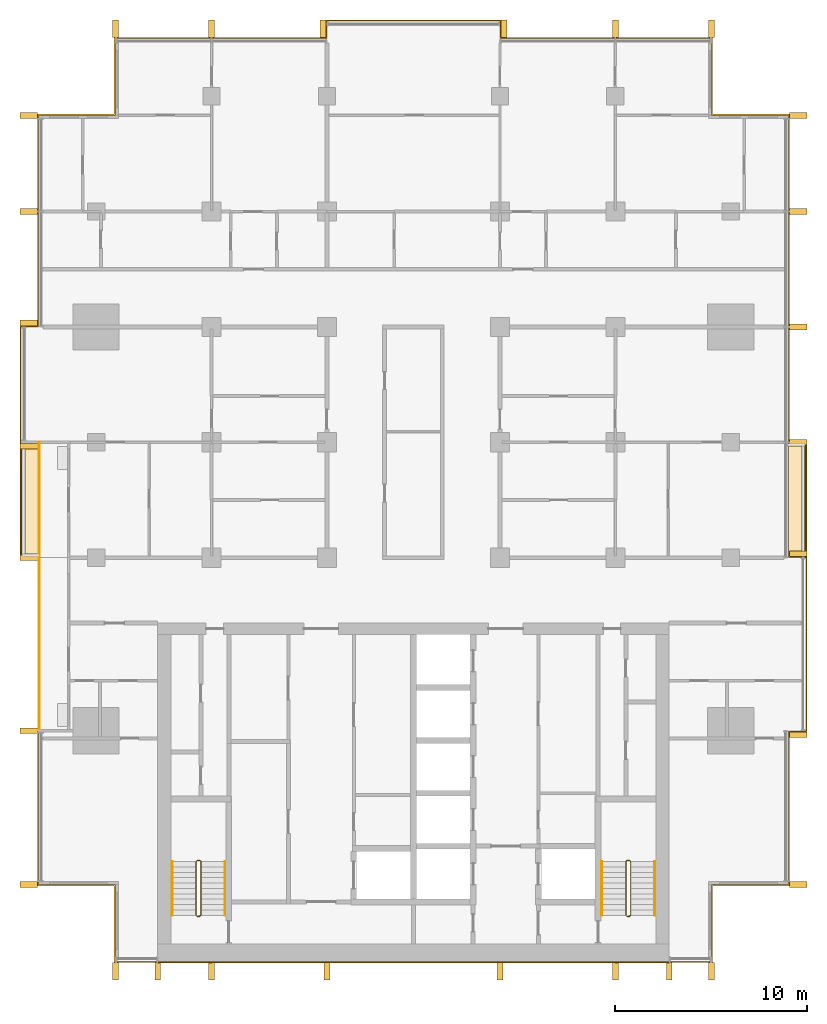
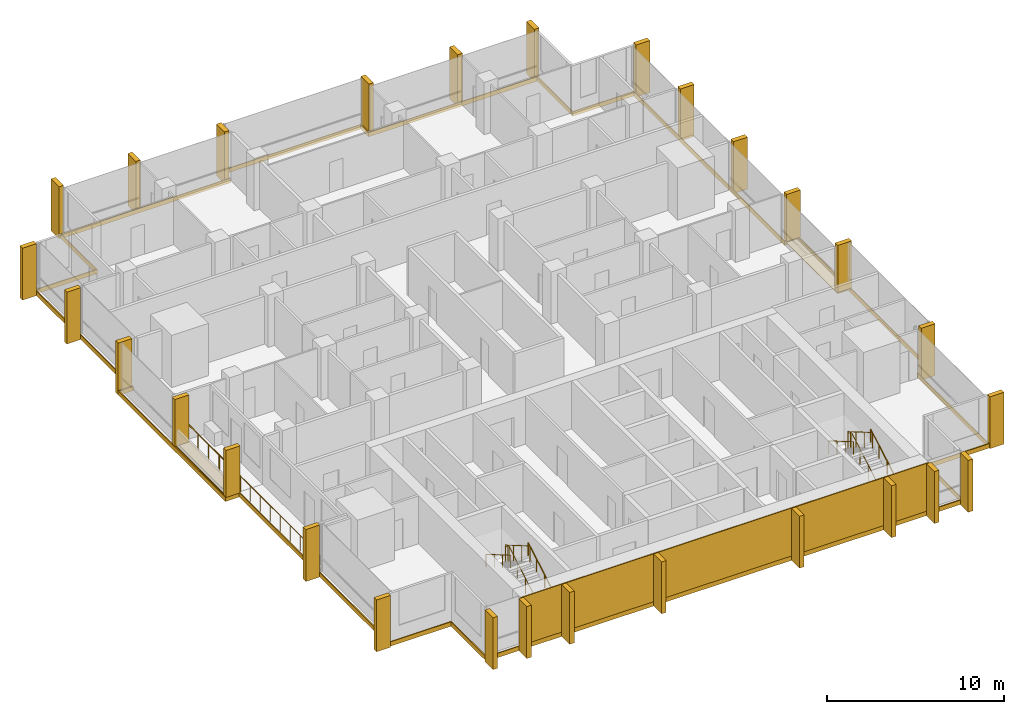
# One storey, part 17 of 17: 28 shading devices, 9 coverings, 8 railings.
"""IFC4 building model written with IfcOpenShell, lengths in metres."""

from ifc_helpers import new_model, si_unit, direction, frame, origin, origin_2d, place, context, subcontext, project, spatial, polyline, rectangle, circle, outline, extrude, material, layer, layer_set, type_object, element, save


model = new_model("IFC4")

# Units and contexts
model_context = context("Model", 3, precision=1e-05, world=origin(), true_north=direction((0.0, 1.0)))
body_context = subcontext(model_context, "Body", "Model", "MODEL_VIEW")
ifc_project = project(units=[si_unit("LENGTHUNIT", "METRE"), si_unit("AREAUNIT", "SQUARE_METRE"), si_unit("VOLUMEUNIT", "CUBIC_METRE"), si_unit("PLANEANGLEUNIT", "RADIAN"), si_unit("MASSUNIT", "GRAM", prefix="KILO")], contexts=[model_context])

# Site, building, storey
site_placement = place(None, origin())
site = spatial("IfcSite", under=ifc_project, at=site_placement, CompositionType="ELEMENT")
building_placement = place(site_placement, origin())
building = spatial("IfcBuilding", under=site, at=building_placement, Name="Finial Court Residences", CompositionType="ELEMENT")
storey_placement = place(building_placement, frame((0.0, 0.0, 174.5)))
storey = spatial("IfcBuildingStorey", under=building, at=storey_placement, Name="L43", CompositionType="ELEMENT", Elevation=174.5)

# Railings
ifc_material_1 = material(Name="Bronze anodised aluminium", Category="aluminium")
railing_type_1 = type_object("IfcRailingType", Name="Balcony guard 1100", PredefinedType="GUARDRAIL", material=ifc_material_1)
railing_1_placement = place(storey_placement, frame((-19.449951171875, -13.5, 0.0)))
element("IfcRailing", 1, at=railing_1_placement, inside=storey, type_object=railing_type_1, Name="E-L43-BALW2-R", PredefinedType="GUARDRAIL", context=body_context, shape_type="SweptSolid", body=[
    extrude(circle(Radius=0.02392578125, at=origin_2d()), frame((0.0, 0.0, 1.076171875), z_axis=(0.0, 1.0, 0.0), x_axis=(-1.0, 0.0, 0.0)), (0.0, 0.0, 1.0), 9.0),
    extrude(circle(Radius=0.02099609375, at=origin_2d()), origin(), (0.0, 0.0, 1.0), 1.052001953125),
    extrude(circle(Radius=0.02099609375, at=origin_2d()), frame((0.0, 1.125, 0.0)), (0.0, 0.0, 1.0), 1.052001953125),
    extrude(circle(Radius=0.02099609375, at=origin_2d()), frame((0.0, 2.25, 0.0)), (0.0, 0.0, 1.0), 1.052001953125),
    extrude(circle(Radius=0.02099609375, at=origin_2d()), frame((0.0, 3.375, 0.0)), (0.0, 0.0, 1.0), 1.052001953125),
    extrude(circle(Radius=0.02099609375, at=origin_2d()), frame((0.0, 4.5, 0.0)), (0.0, 0.0, 1.0), 1.052001953125),
    extrude(circle(Radius=0.02099609375, at=origin_2d()), frame((0.0, 5.625, 0.0)), (0.0, 0.0, 1.0), 1.052001953125),
    extrude(circle(Radius=0.02099609375, at=origin_2d()), frame((0.0, 6.75, 0.0)), (0.0, 0.0, 1.0), 1.052001953125),
    extrude(circle(Radius=0.02099609375, at=origin_2d()), frame((0.0, 7.875, 0.0)), (0.0, 0.0, 1.0), 1.052001953125),
    extrude(circle(Radius=0.02099609375, at=origin_2d()), frame((0.0, 9.0, 0.0)), (0.0, 0.0, 1.0), 1.052001953125),
])
railing_2_placement = place(storey_placement, frame((-19.449951171875, -4.5, 0.0)))
element("IfcRailing", 2, at=railing_2_placement, inside=storey, type_object=railing_type_1, Name="E-L43-BALW3-R", PredefinedType="GUARDRAIL", context=body_context, shape_type="SweptSolid", body=[
    extrude(circle(Radius=0.02392578125, at=origin_2d()), frame((0.0, 0.0, 1.076171875), z_axis=(0.0, 1.0, 0.0), x_axis=(-1.0, 0.0, 0.0)), (0.0, 0.0, 1.0), 6.0),
    extrude(circle(Radius=0.02099609375, at=origin_2d()), origin(), (0.0, 0.0, 1.0), 1.052001953125),
    extrude(circle(Radius=0.02099609375, at=origin_2d()), frame((0.0, 1.199951171875, 0.0)), (0.0, 0.0, 1.0), 1.052001953125),
    extrude(circle(Radius=0.02099609375, at=origin_2d()), frame((0.0, 2.39990234375, 0.0)), (0.0, 0.0, 1.0), 1.052001953125),
    extrude(circle(Radius=0.02099609375, at=origin_2d()), frame((0.0, 3.60009765625, 0.0)), (0.0, 0.0, 1.0), 1.052001953125),
    extrude(circle(Radius=0.02099609375, at=origin_2d()), frame((0.0, 4.800048828125, 0.0)), (0.0, 0.0, 1.0), 1.052001953125),
    extrude(circle(Radius=0.02099609375, at=origin_2d()), frame((0.0, 6.0, 0.0)), (0.0, 0.0, 1.0), 1.052001953125),
])

# Coverings
ifc_material_2 = material(Name="Natural limestone", Category="masonry")
ifc_layer_1 = layer(ifc_material_2, 0.06005859375)
ifc_layer_set_1 = layer_set([ifc_layer_1], Name="Limestone cladding to the blind core face 60")
covering_type_1 = type_object("IfcCoveringType", Name="Limestone cladding to the blind core face 60", PredefinedType="CLADDING", material=ifc_layer_set_1)
covering_1_placement = place(storey_placement, origin())
element("IfcCovering", 3, at=covering_1_placement, inside=storey, type_object=covering_type_1, Name="E-L43-CLAD1", PredefinedType="CLADDING", context=body_context, shape_type="SweptSolid", body=[
    extrude(outline(polyline([(-10.5, -25.56005859375), (-10.5, -25.5), (-13.300048828125, -25.5), (-13.300048828125, -25.56005859375), (-10.5, -25.56005859375)])), origin(), (0.0, 0.0, 1.0), 3.300048828125),
])
covering_2_placement = place(storey_placement, origin())
element("IfcCovering", 4, at=covering_2_placement, inside=storey, type_object=covering_type_1, Name="E-L43-CLAD2", PredefinedType="CLADDING", context=body_context, shape_type="SweptSolid", body=[
    extrude(outline(polyline([(-4.5, -25.56005859375), (-4.5, -25.5), (-10.5, -25.5), (-10.5, -25.56005859375), (-4.5, -25.56005859375)])), origin(), (0.0, 0.0, 1.0), 3.300048828125),
])
covering_3_placement = place(storey_placement, origin())
element("IfcCovering", 5, at=covering_3_placement, inside=storey, type_object=covering_type_1, Name="E-L43-CLAD3", PredefinedType="CLADDING", context=body_context, shape_type="SweptSolid", body=[
    extrude(outline(polyline([(4.5, -25.56005859375), (4.5, -25.5), (-4.5, -25.5), (-4.5, -25.56005859375), (4.5, -25.56005859375)])), origin(), (0.0, 0.0, 1.0), 3.300048828125),
])
covering_4_placement = place(storey_placement, origin())
element("IfcCovering", 6, at=covering_4_placement, inside=storey, type_object=covering_type_1, Name="E-L43-CLAD4", PredefinedType="CLADDING", context=body_context, shape_type="SweptSolid", body=[
    extrude(outline(polyline([(10.5, -25.56005859375), (10.5, -25.5), (4.5, -25.5), (4.5, -25.56005859375), (10.5, -25.56005859375)])), origin(), (0.0, 0.0, 1.0), 3.300048828125),
])
covering_5_placement = place(storey_placement, origin())
element("IfcCovering", 7, at=covering_5_placement, inside=storey, type_object=covering_type_1, Name="E-L43-CLAD5", PredefinedType="CLADDING", context=body_context, shape_type="SweptSolid", body=[
    extrude(outline(polyline([(13.300048828125, -25.56005859375), (13.300048828125, -25.5), (10.5, -25.5), (10.5, -25.56005859375), (13.300048828125, -25.56005859375)])), origin(), (0.0, 0.0, 1.0), 3.300048828125),
])

# Shading devices
shading_device_type = type_object("IfcShadingDeviceType", Name="Limestone fin 300 x 900", PredefinedType="USERDEFINED", material=ifc_material_2)
for number, where, z_axis, x_axis, name in (
    (8, (-15.5, 23.010009765625, -0.300048828125), (0.0, 0.0, 1.0), (1.0, 0.0, 0.0), "E-L43-FIN-N1"),
    (9, (-10.5, 23.010009765625, -0.300048828125), (0.0, 0.0, 1.0), (1.0, 0.0, 0.0), "E-L43-FIN-N2"),
    (10, (-4.7099609375, 23.010009765625, -0.300048828125), (0.0, 0.0, 1.0), (1.0, 0.0, 0.0), "E-L43-FIN-N3"),
    (11, (4.7099609375, 23.010009765625, -0.300048828125), (0.0, 0.0, 1.0), (1.0, 0.0, 0.0), "E-L43-FIN-N4"),
    (12, (10.5, 23.010009765625, -0.300048828125), (0.0, 0.0, 1.0), (1.0, 0.0, 0.0), "E-L43-FIN-N5"),
    (13, (15.5, 23.010009765625, -0.300048828125), (0.0, 0.0, 1.0), (1.0, 0.0, 0.0), "E-L43-FIN-N6"),
):
    element("IfcShadingDevice", number, at=place(storey_placement, frame(where, z_axis=z_axis, x_axis=x_axis)), inside=storey, type_object=shading_device_type, Name=name, ObjectType="FIN", PredefinedType="USERDEFINED", context=body_context, shape_type="SweptSolid", body=[
        extrude(rectangle(XDim=0.300048828125, YDim=0.89990234375, at=origin_2d()), origin(), (0.0, 0.0, 1.0), 3.580078125),
    ])
for number, where, z_axis, x_axis, name in (
    (14, (20.010009765625, -21.5, -0.300048828125), (0.0, 0.0, 1.0), (1.0, 0.0, 0.0), "E-L43-FIN-E7"),
    (15, (20.010009765625, -13.7099609375, -0.300048828125), (0.0, 0.0, 1.0), (1.0, 0.0, 0.0), "E-L43-FIN-E8"),
):
    element("IfcShadingDevice", number, at=place(storey_placement, frame(where, z_axis=z_axis, x_axis=x_axis)), inside=storey, type_object=shading_device_type, Name=name, ObjectType="FIN", PredefinedType="USERDEFINED", context=body_context, shape_type="SweptSolid", body=[
        extrude(rectangle(XDim=0.89990234375, YDim=0.300048828125, at=origin_2d()), origin(), (0.0, 0.0, 1.0), 3.580078125),
    ])
for number, where, z_axis, x_axis, name in (
    (16, (20.010009765625, -4.2900390625, 0.0400390625), (0.0, 0.0, 1.0), (1.0, 0.0, 0.0), "E-L43-FIN-E9"),
    (17, (20.010009765625, 1.5, 0.0400390625), (0.0, 0.0, 1.0), (1.0, 0.0, 0.0), "E-L43-FIN-E10"),
):
    element("IfcShadingDevice", number, at=place(storey_placement, frame(where, z_axis=z_axis, x_axis=x_axis)), inside=storey, type_object=shading_device_type, Name=name, ObjectType="FIN", PredefinedType="USERDEFINED", context=body_context, shape_type="SweptSolid", body=[
        extrude(rectangle(XDim=0.89990234375, YDim=0.300048828125, at=origin_2d()), origin(), (0.0, 0.0, 1.0), 3.239990234375),
    ])
for number, where, z_axis, x_axis, name in (
    (18, (20.010009765625, 7.5, -0.300048828125), (0.0, 0.0, 1.0), (1.0, 0.0, 0.0), "E-L43-FIN-E11"),
    (19, (20.010009765625, 13.5, -0.300048828125), (0.0, 0.0, 1.0), (1.0, 0.0, 0.0), "E-L43-FIN-E12"),
    (20, (20.010009765625, 18.5, -0.300048828125), (0.0, 0.0, 1.0), (1.0, 0.0, 0.0), "E-L43-FIN-E13"),
):
    element("IfcShadingDevice", number, at=place(storey_placement, frame(where, z_axis=z_axis, x_axis=x_axis)), inside=storey, type_object=shading_device_type, Name=name, ObjectType="FIN", PredefinedType="USERDEFINED", context=body_context, shape_type="SweptSolid", body=[
        extrude(rectangle(XDim=0.89990234375, YDim=0.300048828125, at=origin_2d()), origin(), (0.0, 0.0, 1.0), 3.580078125),
    ])
for number, where, z_axis, x_axis, name in (
    (21, (-15.5, -26.010009765625, -0.300048828125), (0.0, 0.0, 1.0), (1.0, 0.0, 0.0), "E-L43-FIN-S14"),
    (22, (-13.300048828125, -26.010009765625, -0.300048828125), (0.0, 0.0, 1.0), (1.0, 0.0, 0.0), "E-L43-FIN-S15"),
    (23, (-10.5, -26.010009765625, -0.300048828125), (0.0, 0.0, 1.0), (1.0, 0.0, 0.0), "E-L43-FIN-S16"),
    (24, (-4.5, -26.010009765625, -0.300048828125), (0.0, 0.0, 1.0), (1.0, 0.0, 0.0), "E-L43-FIN-S17"),
    (25, (4.5, -26.010009765625, -0.300048828125), (0.0, 0.0, 1.0), (1.0, 0.0, 0.0), "E-L43-FIN-S18"),
    (26, (10.5, -26.010009765625, -0.300048828125), (0.0, 0.0, 1.0), (1.0, 0.0, 0.0), "E-L43-FIN-S19"),
    (27, (13.300048828125, -26.010009765625, -0.300048828125), (0.0, 0.0, 1.0), (1.0, 0.0, 0.0), "E-L43-FIN-S20"),
    (28, (15.5, -26.010009765625, -0.300048828125), (0.0, 0.0, 1.0), (1.0, 0.0, 0.0), "E-L43-FIN-S21"),
):
    element("IfcShadingDevice", number, at=place(storey_placement, frame(where, z_axis=z_axis, x_axis=x_axis)), inside=storey, type_object=shading_device_type, Name=name, ObjectType="FIN", PredefinedType="USERDEFINED", context=body_context, shape_type="SweptSolid", body=[
        extrude(rectangle(XDim=0.300048828125, YDim=0.89990234375, at=origin_2d()), origin(), (0.0, 0.0, 1.0), 3.580078125),
    ])
for number, where, z_axis, x_axis, name in (
    (29, (-20.010009765625, -21.5, -0.300048828125), (0.0, 0.0, 1.0), (1.0, 0.0, 0.0), "E-L43-FIN-W22"),
    (30, (-20.010009765625, -13.5, -0.300048828125), (0.0, 0.0, 1.0), (1.0, 0.0, 0.0), "E-L43-FIN-W23"),
):
    element("IfcShadingDevice", number, at=place(storey_placement, frame(where, z_axis=z_axis, x_axis=x_axis)), inside=storey, type_object=shading_device_type, Name=name, ObjectType="FIN", PredefinedType="USERDEFINED", context=body_context, shape_type="SweptSolid", body=[
        extrude(rectangle(XDim=0.89990234375, YDim=0.300048828125, at=origin_2d()), origin(), (0.0, 0.0, 1.0), 3.580078125),
    ])
for number, where, z_axis, x_axis, name in (
    (31, (-20.010009765625, -4.5, 0.0400390625), (0.0, 0.0, 1.0), (1.0, 0.0, 0.0), "E-L43-FIN-W24"),
    (32, (-20.010009765625, 1.2900390625, 0.0400390625), (0.0, 0.0, 1.0), (1.0, 0.0, 0.0), "E-L43-FIN-W25"),
):
    element("IfcShadingDevice", number, at=place(storey_placement, frame(where, z_axis=z_axis, x_axis=x_axis)), inside=storey, type_object=shading_device_type, Name=name, ObjectType="FIN", PredefinedType="USERDEFINED", context=body_context, shape_type="SweptSolid", body=[
        extrude(rectangle(XDim=0.89990234375, YDim=0.300048828125, at=origin_2d()), origin(), (0.0, 0.0, 1.0), 3.239990234375),
    ])
for number, where, z_axis, x_axis, name in (
    (33, (-20.010009765625, 7.7099609375, -0.300048828125), (0.0, 0.0, 1.0), (1.0, 0.0, 0.0), "E-L43-FIN-W26"),
    (34, (-20.010009765625, 13.5, -0.300048828125), (0.0, 0.0, 1.0), (1.0, 0.0, 0.0), "E-L43-FIN-W27"),
    (35, (-20.010009765625, 18.5, -0.300048828125), (0.0, 0.0, 1.0), (1.0, 0.0, 0.0), "E-L43-FIN-W28"),
):
    element("IfcShadingDevice", number, at=place(storey_placement, frame(where, z_axis=z_axis, x_axis=x_axis)), inside=storey, type_object=shading_device_type, Name=name, ObjectType="FIN", PredefinedType="USERDEFINED", context=body_context, shape_type="SweptSolid", body=[
        extrude(rectangle(XDim=0.89990234375, YDim=0.300048828125, at=origin_2d()), origin(), (0.0, 0.0, 1.0), 3.580078125),
    ])

# Coverings
ifc_material_3 = material(Name="Pale limestone", Category="masonry")
ifc_layer_2 = layer(ifc_material_3, 0.06005859375)
ifc_layer_set_2 = layer_set([ifc_layer_2], Name="Pale limestone slab-edge band 60")
covering_type_2 = type_object("IfcCoveringType", Name="Pale limestone slab-edge band 60", PredefinedType="CLADDING", material=ifc_layer_set_2)
covering_6_placement = place(storey_placement, frame((0.0, 0.0, -0.300048828125)))
element("IfcCovering", 36, at=covering_6_placement, inside=storey, type_object=covering_type_2, Name="E-L43-BAND1", PredefinedType="CLADDING", context=body_context, shape_type="SweptSolid", body=[
    extrude(outline(polyline([(-20.4599609375, -4.56005859375), (-20.4599609375, 7.56005859375), (-19.56005859375, 7.56005859375), (-19.56005859375, 18.56005859375), (-15.56005859375, 18.56005859375), (-15.56005859375, 22.56005859375), (-4.56005859375, 22.56005859375), (-4.56005859375, 23.4599609375), (4.56005859375, 23.4599609375), (4.56005859375, 22.56005859375), (15.56005859375, 22.56005859375), (15.56005859375, 18.56005859375), (19.56005859375, 18.56005859375), (19.56005859375, 1.56005859375), (20.4599609375, 1.56005859375), (20.4599609375, -13.56005859375), (19.56005859375, -13.56005859375), (19.56005859375, -21.56005859375), (15.56005859375, -21.56005859375), (15.56005859375, -25.56005859375), (-15.56005859375, -25.56005859375), (-15.56005859375, -21.56005859375), (-19.56005859375, -21.56005859375), (-19.56005859375, -4.56005859375), (-20.4599609375, -4.56005859375)]), holes=[polyline([(-19.5, -13.5), (-19.5, -21.5), (-15.5, -21.5), (-15.5, -25.5), (15.5, -25.5), (15.5, -21.5), (19.5, -21.5), (19.5, -13.5), (20.39990234375, -13.5), (20.39990234375, -4.5), (20.39990234375, 1.5), (19.5, 1.5), (19.5, 18.5), (15.5, 18.5), (15.5, 22.5), (4.5, 22.5), (4.5, 23.39990234375), (-4.5, 23.39990234375), (-4.5, 22.5), (-15.5, 22.5), (-15.5, 18.5), (-19.5, 18.5), (-19.5, 7.5), (-20.39990234375, 7.5), (-20.39990234375, 1.5), (-20.39990234375, -4.5), (-19.5, -4.5), (-19.5, -13.5)])]), origin(), (0.0, 0.0, 1.0), 0.300048828125),
])
ifc_material_4 = material(Name="Bitumen membrane")
ifc_layer_3 = layer(ifc_material_4, 0.0400390625)
ifc_layer_set_3 = layer_set([ifc_layer_3], Name="Push box roofing, bitumen membrane 40")
covering_type_3 = type_object("IfcCoveringType", Name="Push box roofing, bitumen membrane 40", PredefinedType="ROOFING", material=ifc_layer_set_3)
covering_7_placement = place(storey_placement, origin())
element("IfcCovering", 37, at=covering_7_placement, inside=storey, type_object=covering_type_3, Name="E-L43-LED1", PredefinedType="ROOFING", context=body_context, shape_type="SweptSolid", body=[
    extrude(outline(polyline([(19.5, 1.300048828125), (20.199951171875, 1.300048828125), (20.199951171875, -4.5), (19.5, -4.5), (19.5, 1.300048828125)])), origin(), (0.0, 0.0, 1.0), 0.0400390625),
])
covering_8_placement = place(storey_placement, origin())
element("IfcCovering", 38, at=covering_8_placement, inside=storey, type_object=covering_type_3, Name="E-L43-LED1b", PredefinedType="ROOFING", context=body_context, shape_type="SweptSolid", body=[
    extrude(outline(polyline([(19.5, 1.5), (20.39990234375, 1.5), (20.39990234375, -4.5), (20.35009765625, -4.5), (20.35009765625, 1.300048828125), (20.35009765625, 1.300048828125), (20.35009765625, 1.449951171875), (19.5, 1.449951171875), (19.5, 1.5)])), origin(), (0.0, 0.0, 1.0), 0.0400390625),
])
covering_9_placement = place(storey_placement, origin())
element("IfcCovering", 39, at=covering_9_placement, inside=storey, type_object=covering_type_3, Name="E-L43-LED2", PredefinedType="ROOFING", context=body_context, shape_type="SweptSolid", body=[
    extrude(outline(polyline([(-19.5, 1.5), (-19.5, -4.5), (-20.39990234375, -4.5), (-20.39990234375, 1.5), (-19.5, 1.5)]), holes=[polyline([(-20.35009765625, -4.449951171875), (-19.510009765625, -4.449951171875), (-19.510009765625, -4.300048828125), (-20.199951171875, -4.300048828125), (-20.199951171875, 1.489990234375), (-20.35009765625, 1.489990234375), (-20.35009765625, -4.300048828125), (-20.35009765625, -4.300048828125), (-20.35009765625, -4.449951171875)])]), origin(), (0.0, 0.0, 1.0), 0.0400390625),
])

# Railings
ifc_material_5 = material(Name="Stainless steel railing", Category="steel")
railing_type_2 = type_object("IfcRailingType", Name="Stair guard 1100", PredefinedType="GUARDRAIL", material=ifc_material_5)
railing_3_placement = place(storey_placement, frame((-11.10009765625, -23.14990234375, 0.0)))
element("IfcRailing", 40, at=railing_3_placement, inside=storey, type_object=railing_type_2, Name="L43 ST-1 stair guard 1", PredefinedType="GUARDRAIL", context=body_context, shape_type="SweptSolid", body=[
    extrude(circle(Radius=0.02392578125, at=origin_2d()), frame((0.0, 0.0, 1.076171875), z_axis=(-1.0, 0.0, 0.0), x_axis=(0.0, -1.0, 0.0)), (0.0, 0.0, 1.0), 0.14990234375),
    extrude(circle(Radius=0.02392578125, at=origin_2d()), frame((-0.14990234375, 0.0, 1.076171875), z_axis=(0.760004195007, 0.189305074214, 0.621737253547), x_axis=(-0.241699205484, 0.970351222016, 0.0)), (0.0, 0.0, 1.0), 0.26318359375),
    extrude(circle(Radius=0.02392578125, at=origin_2d()), frame((0.050048828125, 0.0498046875, 1.23974609375), z_axis=(0.0, 0.863360870873, 0.504586966384), x_axis=(-1.0, 0.0, 0.0)), (0.0, 0.0, 1.0), 3.2431640625),
    extrude(circle(Radius=0.02392578125, at=origin_2d()), frame((0.050048828125, 2.849853515625, 2.8759765625), z_axis=(-0.707106781187, 0.707106781187, 0.0), x_axis=(-0.707106781187, -0.707106781187, 0.0)), (0.0, 0.0, 1.0), 0.07080078125),
    extrude(circle(Radius=0.02392578125, at=origin_2d()), frame((0.0, 2.89990234375, 2.8759765625), z_axis=(-1.0, 0.0, 0.0), x_axis=(0.0, -1.0, 0.0)), (0.0, 0.0, 1.0), 0.14990234375),
    extrude(circle(Radius=0.02392578125, at=origin_2d()), frame((-0.14990234375, 2.89990234375, 2.8759765625), z_axis=(-0.280808744504, -0.280808744504, 0.917765164963), x_axis=(0.707106781187, -0.707106781187, 0.0)), (0.0, 0.0, 1.0), 0.17822265625),
    extrude(circle(Radius=0.02392578125, at=origin_2d()), frame((-0.199951171875, 2.849853515625, 3.03955078125), z_axis=(0.0, -0.863360870873, 0.504586966384), x_axis=(1.0, 0.0, 0.0)), (0.0, 0.0, 1.0), 3.2431640625),
    extrude(circle(Radius=0.02099609375, at=origin_2d()), origin(), (0.0, 0.0, 1.0), 1.052001953125),
    extrude(circle(Radius=0.02099609375, at=origin_2d()), frame((-0.14990234375, 0.0, 0.0)), (0.0, 0.0, 1.0), 1.052001953125),
    extrude(circle(Radius=0.02099609375, at=origin_2d()), frame((0.050048828125, 0.0498046875, 0.16357421875)), (0.0, 0.0, 1.0), 1.052001953125),
    extrude(circle(Radius=0.02099609375, at=origin_2d()), frame((0.050048828125, 0.983154296875, 0.708984375)), (0.0, 0.0, 1.0), 1.052001953125),
    extrude(circle(Radius=0.02099609375, at=origin_2d()), frame((0.050048828125, 1.91650390625, 1.254638671875)), (0.0, 0.0, 1.0), 1.052001953125),
    extrude(circle(Radius=0.02099609375, at=origin_2d()), frame((0.050048828125, 2.849853515625, 1.800048828125)), (0.0, 0.0, 1.0), 1.052001953125),
    extrude(circle(Radius=0.02099609375, at=origin_2d()), frame((0.0, 2.89990234375, 1.800048828125)), (0.0, 0.0, 1.0), 1.052001953125),
    extrude(circle(Radius=0.02099609375, at=origin_2d()), frame((-0.14990234375, 2.89990234375, 1.800048828125)), (0.0, 0.0, 1.0), 1.052001953125),
    extrude(circle(Radius=0.02099609375, at=origin_2d()), frame((-0.199951171875, 2.849853515625, 1.963623046875)), (0.0, 0.0, 1.0), 1.052001953125),
    extrude(circle(Radius=0.02099609375, at=origin_2d()), frame((-0.199951171875, 1.91650390625, 2.509033203125)), (0.0, 0.0, 1.0), 1.052001953125),
    extrude(circle(Radius=0.02099609375, at=origin_2d()), frame((-0.199951171875, 0.983154296875, 3.0546875)), (0.0, 0.0, 1.0), 1.052001953125),
    extrude(circle(Radius=0.02099609375, at=origin_2d()), frame((-0.199951171875, 0.0498046875, 3.60009765625)), (0.0, 0.0, 1.0), 1.052001953125),
])
railing_4_placement = place(storey_placement, frame((11.25, -23.14990234375, 0.0)))
element("IfcRailing", 41, at=railing_4_placement, inside=storey, type_object=railing_type_2, Name="L43 ST-2 stair guard 1", PredefinedType="GUARDRAIL", context=body_context, shape_type="SweptSolid", body=[
    extrude(circle(Radius=0.02392578125, at=origin_2d()), frame((0.0, 0.0, 1.076171875), z_axis=(-1.0, 0.0, 0.0), x_axis=(0.0, -1.0, 0.0)), (0.0, 0.0, 1.0), 0.14990234375),
    extrude(circle(Radius=0.02392578125, at=origin_2d()), frame((-0.14990234375, 0.0, 1.076171875), z_axis=(0.760004195007, 0.189305074214, 0.621737253547), x_axis=(-0.241699205484, 0.970351222016, 0.0)), (0.0, 0.0, 1.0), 0.26318359375),
    extrude(circle(Radius=0.02392578125, at=origin_2d()), frame((0.050048828125, 0.0498046875, 1.23974609375), z_axis=(0.0, 0.863360870873, 0.504586966384), x_axis=(-1.0, 0.0, 0.0)), (0.0, 0.0, 1.0), 3.2431640625),
    extrude(circle(Radius=0.02392578125, at=origin_2d()), frame((0.050048828125, 2.849853515625, 2.8759765625), z_axis=(-0.707106781187, 0.707106781187, 0.0), x_axis=(-0.707106781187, -0.707106781187, 0.0)), (0.0, 0.0, 1.0), 0.07080078125),
    extrude(circle(Radius=0.02392578125, at=origin_2d()), frame((0.0, 2.89990234375, 2.8759765625), z_axis=(-1.0, 0.0, 0.0), x_axis=(0.0, -1.0, 0.0)), (0.0, 0.0, 1.0), 0.14990234375),
    extrude(circle(Radius=0.02392578125, at=origin_2d()), frame((-0.14990234375, 2.89990234375, 2.8759765625), z_axis=(-0.280808744504, -0.280808744504, 0.917765164963), x_axis=(0.707106781187, -0.707106781187, 0.0)), (0.0, 0.0, 1.0), 0.17822265625),
    extrude(circle(Radius=0.02392578125, at=origin_2d()), frame((-0.199951171875, 2.849853515625, 3.03955078125), z_axis=(0.0, -0.863360870873, 0.504586966384), x_axis=(1.0, 0.0, 0.0)), (0.0, 0.0, 1.0), 3.2431640625),
    extrude(circle(Radius=0.02099609375, at=origin_2d()), origin(), (0.0, 0.0, 1.0), 1.052001953125),
    extrude(circle(Radius=0.02099609375, at=origin_2d()), frame((-0.14990234375, 0.0, 0.0)), (0.0, 0.0, 1.0), 1.052001953125),
    extrude(circle(Radius=0.02099609375, at=origin_2d()), frame((0.050048828125, 0.0498046875, 0.16357421875)), (0.0, 0.0, 1.0), 1.052001953125),
    extrude(circle(Radius=0.02099609375, at=origin_2d()), frame((0.050048828125, 0.983154296875, 0.708984375)), (0.0, 0.0, 1.0), 1.052001953125),
    extrude(circle(Radius=0.02099609375, at=origin_2d()), frame((0.050048828125, 1.91650390625, 1.254638671875)), (0.0, 0.0, 1.0), 1.052001953125),
    extrude(circle(Radius=0.02099609375, at=origin_2d()), frame((0.050048828125, 2.849853515625, 1.800048828125)), (0.0, 0.0, 1.0), 1.052001953125),
    extrude(circle(Radius=0.02099609375, at=origin_2d()), frame((0.0, 2.89990234375, 1.800048828125)), (0.0, 0.0, 1.0), 1.052001953125),
    extrude(circle(Radius=0.02099609375, at=origin_2d()), frame((-0.14990234375, 2.89990234375, 1.800048828125)), (0.0, 0.0, 1.0), 1.052001953125),
    extrude(circle(Radius=0.02099609375, at=origin_2d()), frame((-0.199951171875, 2.849853515625, 1.963623046875)), (0.0, 0.0, 1.0), 1.052001953125),
    extrude(circle(Radius=0.02099609375, at=origin_2d()), frame((-0.199951171875, 1.91650390625, 2.509033203125)), (0.0, 0.0, 1.0), 1.052001953125),
    extrude(circle(Radius=0.02099609375, at=origin_2d()), frame((-0.199951171875, 0.983154296875, 3.0546875)), (0.0, 0.0, 1.0), 1.052001953125),
    extrude(circle(Radius=0.02099609375, at=origin_2d()), frame((-0.199951171875, 0.0498046875, 3.60009765625)), (0.0, 0.0, 1.0), 1.052001953125),
])
railing_type_3 = type_object("IfcRailingType", Name="Stair handrail 900", PredefinedType="HANDRAIL", material=ifc_material_5)
railing_5_placement = place(storey_placement, frame((-9.800048828125, -23.10009765625, 0.16357421875)))
element("IfcRailing", 42, at=railing_5_placement, inside=storey, type_object=railing_type_3, Name="L43 ST-1 stair handrail 1", PredefinedType="HANDRAIL", context=body_context, shape_type="SweptSolid", body=[
    extrude(circle(Radius=0.02392578125, at=origin_2d()), frame((0.0, 0.0, 0.8759765625), z_axis=(0.0, 0.863360870873, 0.504586966384), x_axis=(-1.0, 0.0, 0.0)), (0.0, 0.0, 1.0), 3.2431640625),
    extrude(circle(Radius=0.02099609375, at=origin_2d()), origin(), (0.0, 0.0, 1.0), 0.851806640625),
    extrude(circle(Radius=0.02099609375, at=origin_2d()), frame((0.0, 0.933349609375, 0.54541015625)), (0.0, 0.0, 1.0), 0.851806640625),
    extrude(circle(Radius=0.02099609375, at=origin_2d()), frame((0.0, 1.86669921875, 1.091064453125)), (0.0, 0.0, 1.0), 0.851806640625),
    extrude(circle(Radius=0.02099609375, at=origin_2d()), frame((0.0, 2.800048828125, 1.636474609375)), (0.0, 0.0, 1.0), 0.851806640625),
])
railing_6_placement = place(storey_placement, frame((-12.550048828125, -20.300048828125, 1.963623046875)))
element("IfcRailing", 43, at=railing_6_placement, inside=storey, type_object=railing_type_3, Name="L43 ST-1 stair handrail 2", PredefinedType="HANDRAIL", context=body_context, shape_type="SweptSolid", body=[
    extrude(circle(Radius=0.02392578125, at=origin_2d()), frame((0.0, 0.0, 0.8759765625), z_axis=(0.0, -0.863360870873, 0.504586966384), x_axis=(1.0, 0.0, 0.0)), (0.0, 0.0, 1.0), 3.2431640625),
    extrude(circle(Radius=0.02099609375, at=origin_2d()), origin(), (0.0, 0.0, 1.0), 0.851806640625),
    extrude(circle(Radius=0.02099609375, at=origin_2d()), frame((0.0, -0.933349609375, 0.54541015625)), (0.0, 0.0, 1.0), 0.851806640625),
    extrude(circle(Radius=0.02099609375, at=origin_2d()), frame((0.0, -1.86669921875, 1.091064453125)), (0.0, 0.0, 1.0), 0.851806640625),
    extrude(circle(Radius=0.02099609375, at=origin_2d()), frame((0.0, -2.800048828125, 1.636474609375)), (0.0, 0.0, 1.0), 0.851806640625),
])
railing_7_placement = place(storey_placement, frame((12.550048828125, -23.10009765625, 0.16357421875)))
element("IfcRailing", 44, at=railing_7_placement, inside=storey, type_object=railing_type_3, Name="L43 ST-2 stair handrail 1", PredefinedType="HANDRAIL", context=body_context, shape_type="SweptSolid", body=[
    extrude(circle(Radius=0.02392578125, at=origin_2d()), frame((0.0, 0.0, 0.8759765625), z_axis=(0.0, 0.863360870873, 0.504586966384), x_axis=(-1.0, 0.0, 0.0)), (0.0, 0.0, 1.0), 3.2431640625),
    extrude(circle(Radius=0.02099609375, at=origin_2d()), origin(), (0.0, 0.0, 1.0), 0.851806640625),
    extrude(circle(Radius=0.02099609375, at=origin_2d()), frame((0.0, 0.933349609375, 0.54541015625)), (0.0, 0.0, 1.0), 0.851806640625),
    extrude(circle(Radius=0.02099609375, at=origin_2d()), frame((0.0, 1.86669921875, 1.091064453125)), (0.0, 0.0, 1.0), 0.851806640625),
    extrude(circle(Radius=0.02099609375, at=origin_2d()), frame((0.0, 2.800048828125, 1.636474609375)), (0.0, 0.0, 1.0), 0.851806640625),
])
railing_8_placement = place(storey_placement, frame((9.800048828125, -20.300048828125, 1.963623046875)))
element("IfcRailing", 45, at=railing_8_placement, inside=storey, type_object=railing_type_3, Name="L43 ST-2 stair handrail 2", PredefinedType="HANDRAIL", context=body_context, shape_type="SweptSolid", body=[
    extrude(circle(Radius=0.02392578125, at=origin_2d()), frame((0.0, 0.0, 0.8759765625), z_axis=(0.0, -0.863360870873, 0.504586966384), x_axis=(1.0, 0.0, 0.0)), (0.0, 0.0, 1.0), 3.2431640625),
    extrude(circle(Radius=0.02099609375, at=origin_2d()), origin(), (0.0, 0.0, 1.0), 0.851806640625),
    extrude(circle(Radius=0.02099609375, at=origin_2d()), frame((0.0, -0.933349609375, 0.54541015625)), (0.0, 0.0, 1.0), 0.851806640625),
    extrude(circle(Radius=0.02099609375, at=origin_2d()), frame((0.0, -1.86669921875, 1.091064453125)), (0.0, 0.0, 1.0), 0.851806640625),
    extrude(circle(Radius=0.02099609375, at=origin_2d()), frame((0.0, -2.800048828125, 1.636474609375)), (0.0, 0.0, 1.0), 0.851806640625),
])

save(model, "model.ifc")
